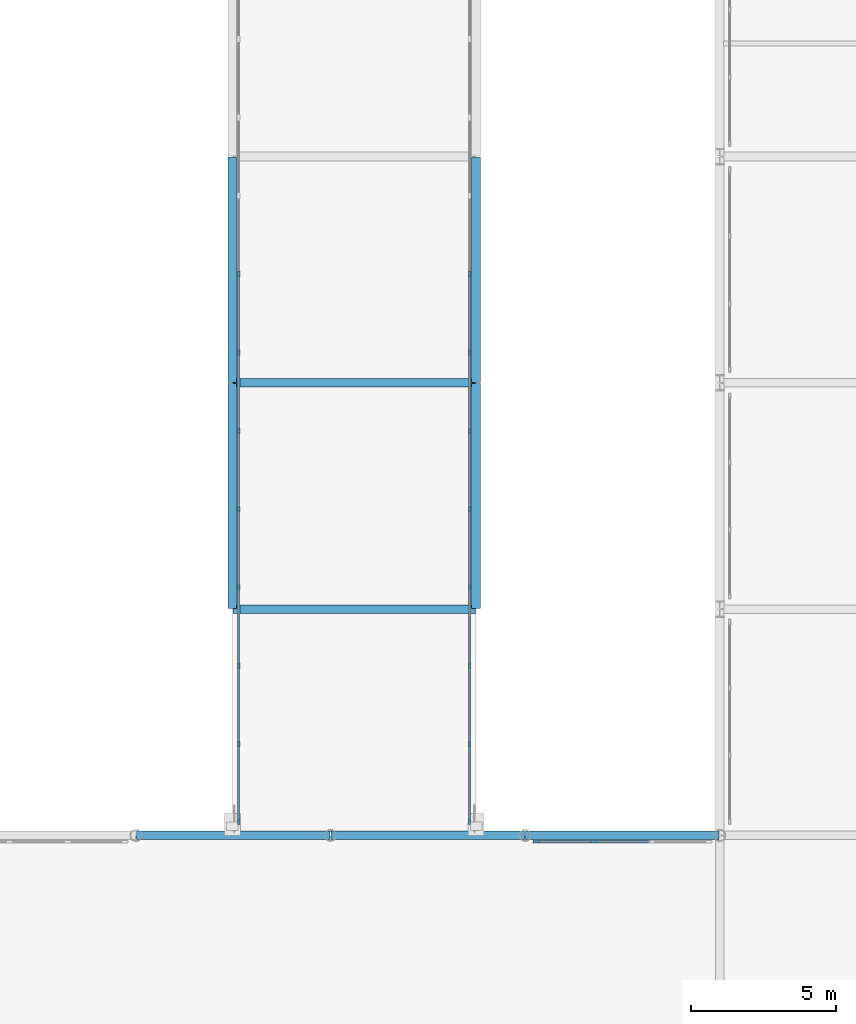
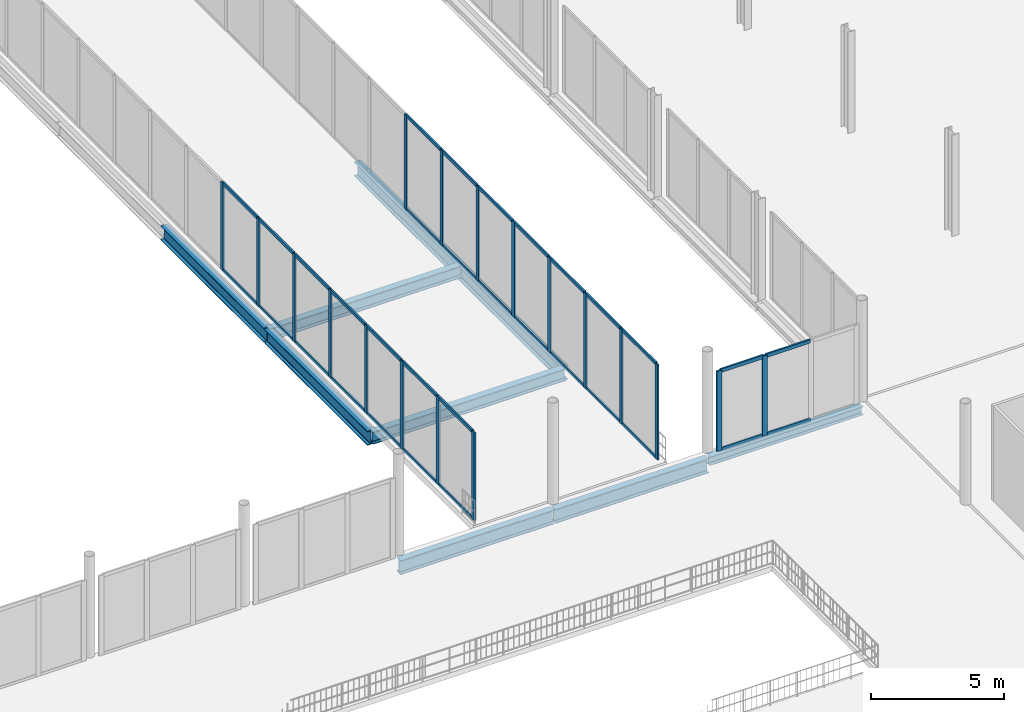
# One storey, part 32 of 98: 50 members, 9 beams, 3 elements without a shape of their own.
"""IFC4 building model written with IfcOpenShell, lengths in metres."""

from ifc_helpers import new_model, si_unit, direction, frame, origin, origin_2d, place, context, subcontext, project, spatial, rectangle, i_section, extrude, material, material_profile, profile_set, type_object, element, aggregate, save


model = new_model("IFC4")

# Units and contexts
model_context = context("Model", 3, precision=1e-05, world=origin(), true_north=direction((0.0, 1.0)))
body_context = subcontext(model_context, "Body", "Model", "MODEL_VIEW")
ifc_project = project(units=[si_unit("LENGTHUNIT", "METRE"), si_unit("AREAUNIT", "SQUARE_METRE"), si_unit("VOLUMEUNIT", "CUBIC_METRE"), si_unit("PLANEANGLEUNIT", "RADIAN"), si_unit("MASSUNIT", "GRAM", prefix="KILO")], contexts=[model_context])

# Site, building, storey
site_placement = place(None, origin())
site = spatial("IfcSite", under=ifc_project, at=site_placement, CompositionType="ELEMENT")
building_placement = place(site_placement, origin())
building = spatial("IfcBuilding", under=site, at=building_placement, Name="Nabrawat Pavilion Hospital", CompositionType="ELEMENT")
storey_placement = place(building_placement, frame((0.0, 0.0, 10.199951171875)))
storey = spatial("IfcBuildingStorey", under=building, at=storey_placement, Name="L02", CompositionType="ELEMENT", Elevation=10.199951171875)

# Beams
ifc_material_1 = material(Name="Steel S355", Category="steel")
ifc_material_profile_1 = material_profile(ifc_material_1, i_section(OverallWidth=0.300048828125, OverallDepth=0.64990234375, WebThickness=0.01611328125, FlangeThickness=0.031005859375, FilletRadius=0.027099609375, at=origin_2d()), Name="HEB 650")
ifc_profile_set_1 = profile_set([ifc_material_profile_1], Name="Steel S355")
beam_type_1 = type_object("IfcBeamType", Name="Courtyard Link Bridge Edge Girder HEB 650", PredefinedType="USERDEFINED", material=ifc_profile_set_1)
for number, where, z_axis, x_axis, name in (
    (1, (105.89599609375, 39.0, -0.614990234375), (1.0, 0.0, 0.0), (0.0, 1.0, 0.0), "L02 Courtyard Link Bridge Girder 1003"),
    (2, (112.60400390625, 39.0, -0.614990234375), (1.0, 0.0, 0.0), (0.0, 1.0, 0.0), "L02 Courtyard Link Bridge Girder 1004"),
):
    element("IfcBeam", number, at=place(storey_placement, frame(where, z_axis=z_axis, x_axis=x_axis)), inside=storey, type_object=beam_type_1, Name=name, ObjectType="GIRDER", PredefinedType="USERDEFINED", context=body_context, shape_type="SweptSolid", body=[
        extrude(i_section(OverallWidth=0.300048828125, OverallDepth=0.64990234375, WebThickness=0.01611328125, FlangeThickness=0.031005859375, FilletRadius=0.027099609375, at=origin_2d()), origin(), (0.0, 0.0, 1.0), 6.66796875),
    ])
beam_1_placement = place(storey_placement, frame((109.199951171875, 46.820068359375, -0.614990234375), z_axis=(0.0, 1.0, 0.0), x_axis=(-1.0, 0.0, 0.0)))
element("IfcBeam", 3, at=beam_1_placement, inside=storey, type_object=beam_type_1, Name="L02 Courtyard Link Bridge Edge Girder 1258", ObjectType="GIRDER", PredefinedType="USERDEFINED", context=body_context, shape_type="SweptSolid", body=[
    extrude(i_section(OverallWidth=0.300048828125, OverallDepth=0.64990234375, WebThickness=0.01611328125, FlangeThickness=0.031005859375, FilletRadius=0.027099609375, at=origin_2d()), origin(), (0.0, 0.0, 1.0), 7.760009765625),
])
beam_2_placement = place(storey_placement, frame((109.199951171875, 54.6201171875, -0.614990234375), z_axis=(0.0, 1.0, 0.0), x_axis=(-1.0, 0.0, 0.0)))
element("IfcBeam", 4, at=beam_2_placement, inside=storey, type_object=beam_type_1, Name="L02 Courtyard Link Bridge Edge Girder 1259", ObjectType="GIRDER", PredefinedType="USERDEFINED", context=body_context, shape_type="SweptSolid", body=[
    extrude(i_section(OverallWidth=0.300048828125, OverallDepth=0.64990234375, WebThickness=0.01611328125, FlangeThickness=0.031005859375, FilletRadius=0.027099609375, at=origin_2d()), origin(), (0.0, 0.0, 1.0), 7.759765625),
])
beam_3_placement = place(storey_placement, frame((117.60009765625, 46.820068359375, -0.614990234375), z_axis=(0.0, 1.0, 0.0), x_axis=(-1.0, 0.0, 0.0)))
element("IfcBeam", 5, at=beam_3_placement, inside=storey, type_object=beam_type_1, Name="L02 Courtyard Link Bridge Edge Girder 1267", ObjectType="GIRDER", PredefinedType="USERDEFINED", context=body_context, shape_type="SweptSolid", body=[
    extrude(i_section(OverallWidth=0.300048828125, OverallDepth=0.64990234375, WebThickness=0.01611328125, FlangeThickness=0.031005859375, FilletRadius=0.027099609375, at=origin_2d()), origin(), (0.0, 0.0, 1.0), 7.760009765625),
])
beam_4_placement = place(storey_placement, frame((117.60009765625, 54.6201171875, -0.614990234375), z_axis=(0.0, 1.0, 0.0), x_axis=(-1.0, 0.0, 0.0)))
element("IfcBeam", 6, at=beam_4_placement, inside=storey, type_object=beam_type_1, Name="L02 Courtyard Link Bridge Edge Girder 1268", ObjectType="GIRDER", PredefinedType="USERDEFINED", context=body_context, shape_type="SweptSolid", body=[
    extrude(i_section(OverallWidth=0.300048828125, OverallDepth=0.64990234375, WebThickness=0.01611328125, FlangeThickness=0.031005859375, FilletRadius=0.027099609375, at=origin_2d()), origin(), (0.0, 0.0, 1.0), 7.759765625),
])

# Curtain wall, members
ifc_material_2 = material(Name="Anodised Aluminium", Category="aluminium")
curtain_wall_type_1 = type_object("IfcCurtainWallType", Name="Courtyard Link Bridge Glazed Curtain Wall", PredefinedType="USERDEFINED", material=ifc_material_2)
curtain_wall_1_placement = place(storey_placement, origin())
curtain_wall_1 = element("IfcCurtainWall", 7, at=curtain_wall_1_placement, inside=storey, type_object=curtain_wall_type_1, Name="L02 Courtyard Link Bridge Glazed Curtain Wall 126", ObjectType="CURTAIN WALL", PredefinedType="USERDEFINED")
ifc_material_profile_2 = material_profile(ifc_material_2, rectangle(XDim=0.070068359375, YDim=0.199951171875, at=origin_2d()), Name="CWM 70x200")
ifc_profile_set_2 = profile_set([ifc_material_profile_2], Name="Anodised Aluminium")
member_type_1 = type_object("IfcMemberType", Name="Courtyard Link Bridge Glazed Curtain Wall Mullion CWM 70x200", PredefinedType="MULLION", material=ifc_profile_set_2)
member_1_placement = place(storey_placement, frame((109.419921875, 39.47509765625, 0.0), z_axis=(0.0, 0.0, 1.0), x_axis=(-1.0, 0.0, 0.0)))
member_1 = element("IfcMember", 8, at=member_1_placement, type_object=member_type_1, Name="CW-BRG-01 mullion 1", PredefinedType="MULLION", context=body_context, shape_type="SweptSolid", body=[
    extrude(rectangle(XDim=0.070068359375, YDim=0.199951171875, at=origin_2d()), origin(), (0.0, 0.0, 1.0), 4.0400390625),
])
member_2_placement = place(storey_placement, frame((109.419921875, 42.14111328125, 0.0), z_axis=(0.0, 0.0, 1.0), x_axis=(-1.0, 0.0, 0.0)))
member_2 = element("IfcMember", 9, at=member_2_placement, type_object=member_type_1, Name="CW-BRG-01 mullion 2", PredefinedType="MULLION", context=body_context, shape_type="SweptSolid", body=[
    extrude(rectangle(XDim=0.070068359375, YDim=0.199951171875, at=origin_2d()), origin(), (0.0, 0.0, 1.0), 4.0400390625),
])
member_3_placement = place(storey_placement, frame((109.419921875, 44.84228515625, 0.0), z_axis=(0.0, 0.0, 1.0), x_axis=(-1.0, 0.0, 0.0)))
member_3 = element("IfcMember", 10, at=member_3_placement, type_object=member_type_1, Name="CW-BRG-01 mullion 3", PredefinedType="MULLION", context=body_context, shape_type="SweptSolid", body=[
    extrude(rectangle(XDim=0.070068359375, YDim=0.199951171875, at=origin_2d()), origin(), (0.0, 0.0, 1.0), 4.0400390625),
])
member_4_placement = place(storey_placement, frame((109.419921875, 47.54345703125, 0.0), z_axis=(0.0, 0.0, 1.0), x_axis=(-1.0, 0.0, 0.0)))
member_4 = element("IfcMember", 11, at=member_4_placement, type_object=member_type_1, Name="CW-BRG-01 mullion 4", PredefinedType="MULLION", context=body_context, shape_type="SweptSolid", body=[
    extrude(rectangle(XDim=0.070068359375, YDim=0.199951171875, at=origin_2d()), origin(), (0.0, 0.0, 1.0), 4.0400390625),
])
member_5_placement = place(storey_placement, frame((109.419921875, 50.24462890625, 0.0), z_axis=(0.0, 0.0, 1.0), x_axis=(-1.0, 0.0, 0.0)))
member_5 = element("IfcMember", 12, at=member_5_placement, type_object=member_type_1, Name="CW-BRG-01 mullion 5", PredefinedType="MULLION", context=body_context, shape_type="SweptSolid", body=[
    extrude(rectangle(XDim=0.070068359375, YDim=0.199951171875, at=origin_2d()), origin(), (0.0, 0.0, 1.0), 4.0400390625),
])
member_6_placement = place(storey_placement, frame((109.419921875, 52.94580078125, 0.0), z_axis=(0.0, 0.0, 1.0), x_axis=(-1.0, 0.0, 0.0)))
member_6 = element("IfcMember", 13, at=member_6_placement, type_object=member_type_1, Name="CW-BRG-01 mullion 6", PredefinedType="MULLION", context=body_context, shape_type="SweptSolid", body=[
    extrude(rectangle(XDim=0.070068359375, YDim=0.199951171875, at=origin_2d()), origin(), (0.0, 0.0, 1.0), 4.0400390625),
])
member_7_placement = place(storey_placement, frame((109.419921875, 55.64697265625, 0.0), z_axis=(0.0, 0.0, 1.0), x_axis=(-1.0, 0.0, 0.0)))
member_7 = element("IfcMember", 14, at=member_7_placement, type_object=member_type_1, Name="CW-BRG-01 mullion 7", PredefinedType="MULLION", context=body_context, shape_type="SweptSolid", body=[
    extrude(rectangle(XDim=0.070068359375, YDim=0.199951171875, at=origin_2d()), origin(), (0.0, 0.0, 1.0), 4.0400390625),
])
member_8_placement = place(storey_placement, frame((109.419921875, 58.34814453125, 0.0), z_axis=(0.0, 0.0, 1.0), x_axis=(-1.0, 0.0, 0.0)))
member_8 = element("IfcMember", 15, at=member_8_placement, type_object=member_type_1, Name="CW-BRG-01 mullion 8", PredefinedType="MULLION", context=body_context, shape_type="SweptSolid", body=[
    extrude(rectangle(XDim=0.070068359375, YDim=0.199951171875, at=origin_2d()), origin(), (0.0, 0.0, 1.0), 4.0400390625),
])

curtain_wall_2_placement = place(storey_placement, origin())
curtain_wall_2 = element("IfcCurtainWall", 16, at=curtain_wall_2_placement, inside=storey, type_object=curtain_wall_type_1, Name="L02 Courtyard Link Bridge Glazed Curtain Wall 127", ObjectType="CURTAIN WALL", PredefinedType="USERDEFINED")
member_9_placement = place(storey_placement, frame((117.3798828125, 39.47509765625, 0.0), z_axis=(0.0, 0.0, 1.0), x_axis=(-1.0, 0.0, 0.0)))
member_9 = element("IfcMember", 17, at=member_9_placement, type_object=member_type_1, Name="CW-BRG-01 mullion 1", PredefinedType="MULLION", context=body_context, shape_type="SweptSolid", body=[
    extrude(rectangle(XDim=0.070068359375, YDim=0.199951171875, at=origin_2d()), origin(), (0.0, 0.0, 1.0), 4.3701171875),
])
member_10_placement = place(storey_placement, frame((117.3798828125, 42.14111328125, 0.0), z_axis=(0.0, 0.0, 1.0), x_axis=(-1.0, 0.0, 0.0)))
member_10 = element("IfcMember", 18, at=member_10_placement, type_object=member_type_1, Name="CW-BRG-01 mullion 2", PredefinedType="MULLION", context=body_context, shape_type="SweptSolid", body=[
    extrude(rectangle(XDim=0.070068359375, YDim=0.199951171875, at=origin_2d()), origin(), (0.0, 0.0, 1.0), 4.3701171875),
])
member_11_placement = place(storey_placement, frame((117.3798828125, 44.84228515625, 0.0), z_axis=(0.0, 0.0, 1.0), x_axis=(-1.0, 0.0, 0.0)))
member_11 = element("IfcMember", 19, at=member_11_placement, type_object=member_type_1, Name="CW-BRG-01 mullion 3", PredefinedType="MULLION", context=body_context, shape_type="SweptSolid", body=[
    extrude(rectangle(XDim=0.070068359375, YDim=0.199951171875, at=origin_2d()), origin(), (0.0, 0.0, 1.0), 4.3701171875),
])
member_12_placement = place(storey_placement, frame((117.3798828125, 47.54345703125, 0.0), z_axis=(0.0, 0.0, 1.0), x_axis=(-1.0, 0.0, 0.0)))
member_12 = element("IfcMember", 20, at=member_12_placement, type_object=member_type_1, Name="CW-BRG-01 mullion 4", PredefinedType="MULLION", context=body_context, shape_type="SweptSolid", body=[
    extrude(rectangle(XDim=0.070068359375, YDim=0.199951171875, at=origin_2d()), origin(), (0.0, 0.0, 1.0), 4.3701171875),
])
member_13_placement = place(storey_placement, frame((117.3798828125, 50.24462890625, 0.0), z_axis=(0.0, 0.0, 1.0), x_axis=(-1.0, 0.0, 0.0)))
member_13 = element("IfcMember", 21, at=member_13_placement, type_object=member_type_1, Name="CW-BRG-01 mullion 5", PredefinedType="MULLION", context=body_context, shape_type="SweptSolid", body=[
    extrude(rectangle(XDim=0.070068359375, YDim=0.199951171875, at=origin_2d()), origin(), (0.0, 0.0, 1.0), 4.3701171875),
])
member_14_placement = place(storey_placement, frame((117.3798828125, 52.94580078125, 0.0), z_axis=(0.0, 0.0, 1.0), x_axis=(-1.0, 0.0, 0.0)))
member_14 = element("IfcMember", 22, at=member_14_placement, type_object=member_type_1, Name="CW-BRG-01 mullion 6", PredefinedType="MULLION", context=body_context, shape_type="SweptSolid", body=[
    extrude(rectangle(XDim=0.070068359375, YDim=0.199951171875, at=origin_2d()), origin(), (0.0, 0.0, 1.0), 4.3701171875),
])
member_15_placement = place(storey_placement, frame((117.3798828125, 55.64697265625, 0.0), z_axis=(0.0, 0.0, 1.0), x_axis=(-1.0, 0.0, 0.0)))
member_15 = element("IfcMember", 23, at=member_15_placement, type_object=member_type_1, Name="CW-BRG-01 mullion 7", PredefinedType="MULLION", context=body_context, shape_type="SweptSolid", body=[
    extrude(rectangle(XDim=0.070068359375, YDim=0.199951171875, at=origin_2d()), origin(), (0.0, 0.0, 1.0), 4.3701171875),
])
member_16_placement = place(storey_placement, frame((117.3798828125, 58.34814453125, 0.0), z_axis=(0.0, 0.0, 1.0), x_axis=(-1.0, 0.0, 0.0)))
member_16 = element("IfcMember", 24, at=member_16_placement, type_object=member_type_1, Name="CW-BRG-01 mullion 8", PredefinedType="MULLION", context=body_context, shape_type="SweptSolid", body=[
    extrude(rectangle(XDim=0.070068359375, YDim=0.199951171875, at=origin_2d()), origin(), (0.0, 0.0, 1.0), 4.3701171875),
])

# Member
ifc_material_profile_3 = material_profile(ifc_material_2, rectangle(XDim=0.070068359375, YDim=0.14990234375, at=origin_2d()), Name="CWT 70x150")
ifc_profile_set_3 = profile_set([ifc_material_profile_3], Name="Anodised Aluminium")
member_type_2 = type_object("IfcMemberType", Name="Courtyard Link Bridge Glazed Curtain Wall Transom CWT 70x150", PredefinedType="USERDEFINED", material=ifc_profile_set_3)
member_17_placement = place(storey_placement, frame((109.419921875, 39.510009765625, 0.03515625), z_axis=(0.0, 1.0, 0.0), x_axis=(-1.0, 0.0, 0.0)))
member_17 = element("IfcMember", 25, at=member_17_placement, type_object=member_type_2, Name="CW-BRG-01 transom 1.1", ObjectType="TRANSOM", PredefinedType="USERDEFINED", context=body_context, shape_type="SweptSolid", body=[
    extrude(rectangle(XDim=0.070068359375, YDim=0.14990234375, at=origin_2d()), origin(), (0.0, 0.0, 1.0), 2.59619140625),
])

member_18_placement = place(storey_placement, frame((109.419921875, 39.510009765625, 4.005126953125), z_axis=(0.0, 1.0, 0.0), x_axis=(-1.0, 0.0, 0.0)))
member_18 = element("IfcMember", 26, at=member_18_placement, type_object=member_type_2, Name="CW-BRG-01 transom 1.2", ObjectType="TRANSOM", PredefinedType="USERDEFINED", context=body_context, shape_type="SweptSolid", body=[
    extrude(rectangle(XDim=0.070068359375, YDim=0.14990234375, at=origin_2d()), origin(), (0.0, 0.0, 1.0), 2.59619140625),
])

member_19_placement = place(storey_placement, frame((109.419921875, 42.17626953125, 0.03515625), z_axis=(0.0, 1.0, 0.0), x_axis=(-1.0, 0.0, 0.0)))
member_19 = element("IfcMember", 27, at=member_19_placement, type_object=member_type_2, Name="CW-BRG-01 transom 2.1", ObjectType="TRANSOM", PredefinedType="USERDEFINED", context=body_context, shape_type="SweptSolid", body=[
    extrude(rectangle(XDim=0.070068359375, YDim=0.14990234375, at=origin_2d()), origin(), (0.0, 0.0, 1.0), 2.631103515625),
])

member_20_placement = place(storey_placement, frame((109.419921875, 42.17626953125, 4.005126953125), z_axis=(0.0, 1.0, 0.0), x_axis=(-1.0, 0.0, 0.0)))
member_20 = element("IfcMember", 28, at=member_20_placement, type_object=member_type_2, Name="CW-BRG-01 transom 2.2", ObjectType="TRANSOM", PredefinedType="USERDEFINED", context=body_context, shape_type="SweptSolid", body=[
    extrude(rectangle(XDim=0.070068359375, YDim=0.14990234375, at=origin_2d()), origin(), (0.0, 0.0, 1.0), 2.631103515625),
])

member_21_placement = place(storey_placement, frame((109.419921875, 44.87744140625, 0.03515625), z_axis=(0.0, 1.0, 0.0), x_axis=(-1.0, 0.0, 0.0)))
member_21 = element("IfcMember", 29, at=member_21_placement, type_object=member_type_2, Name="CW-BRG-01 transom 3.1", ObjectType="TRANSOM", PredefinedType="USERDEFINED", context=body_context, shape_type="SweptSolid", body=[
    extrude(rectangle(XDim=0.070068359375, YDim=0.14990234375, at=origin_2d()), origin(), (0.0, 0.0, 1.0), 2.631103515625),
])

member_22_placement = place(storey_placement, frame((109.419921875, 44.87744140625, 4.005126953125), z_axis=(0.0, 1.0, 0.0), x_axis=(-1.0, 0.0, 0.0)))
member_22 = element("IfcMember", 30, at=member_22_placement, type_object=member_type_2, Name="CW-BRG-01 transom 3.2", ObjectType="TRANSOM", PredefinedType="USERDEFINED", context=body_context, shape_type="SweptSolid", body=[
    extrude(rectangle(XDim=0.070068359375, YDim=0.14990234375, at=origin_2d()), origin(), (0.0, 0.0, 1.0), 2.631103515625),
])

member_23_placement = place(storey_placement, frame((109.419921875, 47.57861328125, 0.03515625), z_axis=(0.0, 1.0, 0.0), x_axis=(-1.0, 0.0, 0.0)))
member_23 = element("IfcMember", 31, at=member_23_placement, type_object=member_type_2, Name="CW-BRG-01 transom 4.1", ObjectType="TRANSOM", PredefinedType="USERDEFINED", context=body_context, shape_type="SweptSolid", body=[
    extrude(rectangle(XDim=0.070068359375, YDim=0.14990234375, at=origin_2d()), origin(), (0.0, 0.0, 1.0), 2.631103515625),
])

member_24_placement = place(storey_placement, frame((109.419921875, 47.57861328125, 4.005126953125), z_axis=(0.0, 1.0, 0.0), x_axis=(-1.0, 0.0, 0.0)))
member_24 = element("IfcMember", 32, at=member_24_placement, type_object=member_type_2, Name="CW-BRG-01 transom 4.2", ObjectType="TRANSOM", PredefinedType="USERDEFINED", context=body_context, shape_type="SweptSolid", body=[
    extrude(rectangle(XDim=0.070068359375, YDim=0.14990234375, at=origin_2d()), origin(), (0.0, 0.0, 1.0), 2.631103515625),
])

member_25_placement = place(storey_placement, frame((109.419921875, 50.27978515625, 0.03515625), z_axis=(0.0, 1.0, 0.0), x_axis=(-1.0, 0.0, 0.0)))
member_25 = element("IfcMember", 33, at=member_25_placement, type_object=member_type_2, Name="CW-BRG-01 transom 5.1", ObjectType="TRANSOM", PredefinedType="USERDEFINED", context=body_context, shape_type="SweptSolid", body=[
    extrude(rectangle(XDim=0.070068359375, YDim=0.14990234375, at=origin_2d()), origin(), (0.0, 0.0, 1.0), 2.631103515625),
])

member_26_placement = place(storey_placement, frame((109.419921875, 50.27978515625, 4.005126953125), z_axis=(0.0, 1.0, 0.0), x_axis=(-1.0, 0.0, 0.0)))
member_26 = element("IfcMember", 34, at=member_26_placement, type_object=member_type_2, Name="CW-BRG-01 transom 5.2", ObjectType="TRANSOM", PredefinedType="USERDEFINED", context=body_context, shape_type="SweptSolid", body=[
    extrude(rectangle(XDim=0.070068359375, YDim=0.14990234375, at=origin_2d()), origin(), (0.0, 0.0, 1.0), 2.631103515625),
])

member_27_placement = place(storey_placement, frame((109.419921875, 52.98095703125, 0.03515625), z_axis=(0.0, 1.0, 0.0), x_axis=(-1.0, 0.0, 0.0)))
member_27 = element("IfcMember", 35, at=member_27_placement, type_object=member_type_2, Name="CW-BRG-01 transom 6.1", ObjectType="TRANSOM", PredefinedType="USERDEFINED", context=body_context, shape_type="SweptSolid", body=[
    extrude(rectangle(XDim=0.070068359375, YDim=0.14990234375, at=origin_2d()), origin(), (0.0, 0.0, 1.0), 2.631103515625),
])

member_28_placement = place(storey_placement, frame((109.419921875, 52.98095703125, 4.005126953125), z_axis=(0.0, 1.0, 0.0), x_axis=(-1.0, 0.0, 0.0)))
member_28 = element("IfcMember", 36, at=member_28_placement, type_object=member_type_2, Name="CW-BRG-01 transom 6.2", ObjectType="TRANSOM", PredefinedType="USERDEFINED", context=body_context, shape_type="SweptSolid", body=[
    extrude(rectangle(XDim=0.070068359375, YDim=0.14990234375, at=origin_2d()), origin(), (0.0, 0.0, 1.0), 2.631103515625),
])

member_29_placement = place(storey_placement, frame((109.419921875, 55.68212890625, 0.03515625), z_axis=(0.0, 1.0, 0.0), x_axis=(-1.0, 0.0, 0.0)))
member_29 = element("IfcMember", 37, at=member_29_placement, type_object=member_type_2, Name="CW-BRG-01 transom 7.1", ObjectType="TRANSOM", PredefinedType="USERDEFINED", context=body_context, shape_type="SweptSolid", body=[
    extrude(rectangle(XDim=0.070068359375, YDim=0.14990234375, at=origin_2d()), origin(), (0.0, 0.0, 1.0), 2.631103515625),
])

member_30_placement = place(storey_placement, frame((109.419921875, 55.68212890625, 4.005126953125), z_axis=(0.0, 1.0, 0.0), x_axis=(-1.0, 0.0, 0.0)))
member_30 = element("IfcMember", 38, at=member_30_placement, type_object=member_type_2, Name="CW-BRG-01 transom 7.2", ObjectType="TRANSOM", PredefinedType="USERDEFINED", context=body_context, shape_type="SweptSolid", body=[
    extrude(rectangle(XDim=0.070068359375, YDim=0.14990234375, at=origin_2d()), origin(), (0.0, 0.0, 1.0), 2.631103515625),
])

aggregate(curtain_wall_1, [member_1, member_2, member_3, member_4, member_5, member_6, member_7, member_8, member_17, member_18, member_19, member_20, member_21, member_22, member_23, member_24, member_25, member_26, member_27, member_28, member_29, member_30])

member_31_placement = place(storey_placement, frame((117.3798828125, 39.510009765625, 0.03515625), z_axis=(0.0, 1.0, 0.0), x_axis=(-1.0, 0.0, 0.0)))
member_31 = element("IfcMember", 39, at=member_31_placement, type_object=member_type_2, Name="CW-BRG-01 transom 1.1", ObjectType="TRANSOM", PredefinedType="USERDEFINED", context=body_context, shape_type="SweptSolid", body=[
    extrude(rectangle(XDim=0.070068359375, YDim=0.14990234375, at=origin_2d()), origin(), (0.0, 0.0, 1.0), 2.59619140625),
])

member_32_placement = place(storey_placement, frame((117.3798828125, 39.510009765625, 4.3349609375), z_axis=(0.0, 1.0, 0.0), x_axis=(-1.0, 0.0, 0.0)))
member_32 = element("IfcMember", 40, at=member_32_placement, type_object=member_type_2, Name="CW-BRG-01 transom 1.2", ObjectType="TRANSOM", PredefinedType="USERDEFINED", context=body_context, shape_type="SweptSolid", body=[
    extrude(rectangle(XDim=0.070068359375, YDim=0.14990234375, at=origin_2d()), origin(), (0.0, 0.0, 1.0), 2.59619140625),
])

member_33_placement = place(storey_placement, frame((117.3798828125, 42.17626953125, 0.03515625), z_axis=(0.0, 1.0, 0.0), x_axis=(-1.0, 0.0, 0.0)))
member_33 = element("IfcMember", 41, at=member_33_placement, type_object=member_type_2, Name="CW-BRG-01 transom 2.1", ObjectType="TRANSOM", PredefinedType="USERDEFINED", context=body_context, shape_type="SweptSolid", body=[
    extrude(rectangle(XDim=0.070068359375, YDim=0.14990234375, at=origin_2d()), origin(), (0.0, 0.0, 1.0), 2.631103515625),
])

member_34_placement = place(storey_placement, frame((117.3798828125, 42.17626953125, 4.3349609375), z_axis=(0.0, 1.0, 0.0), x_axis=(-1.0, 0.0, 0.0)))
member_34 = element("IfcMember", 42, at=member_34_placement, type_object=member_type_2, Name="CW-BRG-01 transom 2.2", ObjectType="TRANSOM", PredefinedType="USERDEFINED", context=body_context, shape_type="SweptSolid", body=[
    extrude(rectangle(XDim=0.070068359375, YDim=0.14990234375, at=origin_2d()), origin(), (0.0, 0.0, 1.0), 2.631103515625),
])

member_35_placement = place(storey_placement, frame((117.3798828125, 44.87744140625, 0.03515625), z_axis=(0.0, 1.0, 0.0), x_axis=(-1.0, 0.0, 0.0)))
member_35 = element("IfcMember", 43, at=member_35_placement, type_object=member_type_2, Name="CW-BRG-01 transom 3.1", ObjectType="TRANSOM", PredefinedType="USERDEFINED", context=body_context, shape_type="SweptSolid", body=[
    extrude(rectangle(XDim=0.070068359375, YDim=0.14990234375, at=origin_2d()), origin(), (0.0, 0.0, 1.0), 2.631103515625),
])

member_36_placement = place(storey_placement, frame((117.3798828125, 44.87744140625, 4.3349609375), z_axis=(0.0, 1.0, 0.0), x_axis=(-1.0, 0.0, 0.0)))
member_36 = element("IfcMember", 44, at=member_36_placement, type_object=member_type_2, Name="CW-BRG-01 transom 3.2", ObjectType="TRANSOM", PredefinedType="USERDEFINED", context=body_context, shape_type="SweptSolid", body=[
    extrude(rectangle(XDim=0.070068359375, YDim=0.14990234375, at=origin_2d()), origin(), (0.0, 0.0, 1.0), 2.631103515625),
])

member_37_placement = place(storey_placement, frame((117.3798828125, 47.57861328125, 0.03515625), z_axis=(0.0, 1.0, 0.0), x_axis=(-1.0, 0.0, 0.0)))
member_37 = element("IfcMember", 45, at=member_37_placement, type_object=member_type_2, Name="CW-BRG-01 transom 4.1", ObjectType="TRANSOM", PredefinedType="USERDEFINED", context=body_context, shape_type="SweptSolid", body=[
    extrude(rectangle(XDim=0.070068359375, YDim=0.14990234375, at=origin_2d()), origin(), (0.0, 0.0, 1.0), 2.631103515625),
])

member_38_placement = place(storey_placement, frame((117.3798828125, 47.57861328125, 4.3349609375), z_axis=(0.0, 1.0, 0.0), x_axis=(-1.0, 0.0, 0.0)))
member_38 = element("IfcMember", 46, at=member_38_placement, type_object=member_type_2, Name="CW-BRG-01 transom 4.2", ObjectType="TRANSOM", PredefinedType="USERDEFINED", context=body_context, shape_type="SweptSolid", body=[
    extrude(rectangle(XDim=0.070068359375, YDim=0.14990234375, at=origin_2d()), origin(), (0.0, 0.0, 1.0), 2.631103515625),
])

member_39_placement = place(storey_placement, frame((117.3798828125, 50.27978515625, 0.03515625), z_axis=(0.0, 1.0, 0.0), x_axis=(-1.0, 0.0, 0.0)))
member_39 = element("IfcMember", 47, at=member_39_placement, type_object=member_type_2, Name="CW-BRG-01 transom 5.1", ObjectType="TRANSOM", PredefinedType="USERDEFINED", context=body_context, shape_type="SweptSolid", body=[
    extrude(rectangle(XDim=0.070068359375, YDim=0.14990234375, at=origin_2d()), origin(), (0.0, 0.0, 1.0), 2.631103515625),
])

member_40_placement = place(storey_placement, frame((117.3798828125, 50.27978515625, 4.3349609375), z_axis=(0.0, 1.0, 0.0), x_axis=(-1.0, 0.0, 0.0)))
member_40 = element("IfcMember", 48, at=member_40_placement, type_object=member_type_2, Name="CW-BRG-01 transom 5.2", ObjectType="TRANSOM", PredefinedType="USERDEFINED", context=body_context, shape_type="SweptSolid", body=[
    extrude(rectangle(XDim=0.070068359375, YDim=0.14990234375, at=origin_2d()), origin(), (0.0, 0.0, 1.0), 2.631103515625),
])

member_41_placement = place(storey_placement, frame((117.3798828125, 52.98095703125, 0.03515625), z_axis=(0.0, 1.0, 0.0), x_axis=(-1.0, 0.0, 0.0)))
member_41 = element("IfcMember", 49, at=member_41_placement, type_object=member_type_2, Name="CW-BRG-01 transom 6.1", ObjectType="TRANSOM", PredefinedType="USERDEFINED", context=body_context, shape_type="SweptSolid", body=[
    extrude(rectangle(XDim=0.070068359375, YDim=0.14990234375, at=origin_2d()), origin(), (0.0, 0.0, 1.0), 2.631103515625),
])

member_42_placement = place(storey_placement, frame((117.3798828125, 52.98095703125, 4.3349609375), z_axis=(0.0, 1.0, 0.0), x_axis=(-1.0, 0.0, 0.0)))
member_42 = element("IfcMember", 50, at=member_42_placement, type_object=member_type_2, Name="CW-BRG-01 transom 6.2", ObjectType="TRANSOM", PredefinedType="USERDEFINED", context=body_context, shape_type="SweptSolid", body=[
    extrude(rectangle(XDim=0.070068359375, YDim=0.14990234375, at=origin_2d()), origin(), (0.0, 0.0, 1.0), 2.631103515625),
])

member_43_placement = place(storey_placement, frame((117.3798828125, 55.68212890625, 0.03515625), z_axis=(0.0, 1.0, 0.0), x_axis=(-1.0, 0.0, 0.0)))
member_43 = element("IfcMember", 51, at=member_43_placement, type_object=member_type_2, Name="CW-BRG-01 transom 7.1", ObjectType="TRANSOM", PredefinedType="USERDEFINED", context=body_context, shape_type="SweptSolid", body=[
    extrude(rectangle(XDim=0.070068359375, YDim=0.14990234375, at=origin_2d()), origin(), (0.0, 0.0, 1.0), 2.631103515625),
])

member_44_placement = place(storey_placement, frame((117.3798828125, 55.68212890625, 4.3349609375), z_axis=(0.0, 1.0, 0.0), x_axis=(-1.0, 0.0, 0.0)))
member_44 = element("IfcMember", 52, at=member_44_placement, type_object=member_type_2, Name="CW-BRG-01 transom 7.2", ObjectType="TRANSOM", PredefinedType="USERDEFINED", context=body_context, shape_type="SweptSolid", body=[
    extrude(rectangle(XDim=0.070068359375, YDim=0.14990234375, at=origin_2d()), origin(), (0.0, 0.0, 1.0), 2.631103515625),
])

aggregate(curtain_wall_2, [member_9, member_10, member_11, member_12, member_13, member_14, member_15, member_16, member_31, member_32, member_33, member_34, member_35, member_36, member_37, member_38, member_39, member_40, member_41, member_42, member_43, member_44])

# Curtain wall, members
curtain_wall_type_2 = type_object("IfcCurtainWallType", Name="Main Hall Pavilion Unitised Curtain Wall", PredefinedType="USERDEFINED", material=ifc_material_2)
curtain_wall_3_placement = place(storey_placement, origin())
curtain_wall_3 = element("IfcCurtainWall", 53, at=curtain_wall_3_placement, inside=storey, type_object=curtain_wall_type_2, Name="L02 Main Hall Pavilion Unitised Curtain Wall 128", ObjectType="CURTAIN WALL", PredefinedType="USERDEFINED")
ifc_material_profile_4 = material_profile(ifc_material_2, rectangle(XDim=0.074951171875, YDim=0.219970703125, at=origin_2d()), Name="CWM 75x220")
ifc_profile_set_4 = profile_set([ifc_material_profile_4], Name="Anodised Aluminium")
member_type_3 = type_object("IfcMemberType", Name="Main Hall Pavilion Unitised Curtain Wall Mullion CWM 75x220", PredefinedType="MULLION", material=ifc_profile_set_4)
member_45_placement = place(storey_placement, frame((119.672607421875, 38.780029296875, 0.0), z_axis=(0.0, 0.0, 1.0), x_axis=(0.0, 1.0, 0.0)))
member_45 = element("IfcMember", 54, at=member_45_placement, type_object=member_type_3, Name="CW-MH-01 mullion 1", PredefinedType="MULLION", context=body_context, shape_type="SweptSolid", body=[
    extrude(rectangle(XDim=0.074951171875, YDim=0.219970703125, at=origin_2d()), origin(), (0.0, 0.0, 1.0), 3.679931640625),
])
member_46_placement = place(storey_placement, frame((121.642333984375, 38.780029296875, 0.0), z_axis=(0.0, 0.0, 1.0), x_axis=(0.0, 1.0, 0.0)))
member_46 = element("IfcMember", 55, at=member_46_placement, type_object=member_type_3, Name="CW-MH-01 mullion 2", PredefinedType="MULLION", context=body_context, shape_type="SweptSolid", body=[
    extrude(rectangle(XDim=0.074951171875, YDim=0.219970703125, at=origin_2d()), origin(), (0.0, 0.0, 1.0), 3.679931640625),
])
ifc_material_profile_5 = material_profile(ifc_material_2, rectangle(XDim=0.074951171875, YDim=0.1650390625, at=origin_2d()), Name="CWT 75x165")
ifc_profile_set_5 = profile_set([ifc_material_profile_5], Name="Anodised Aluminium")
member_type_4 = type_object("IfcMemberType", Name="Main Hall Pavilion Unitised Curtain Wall Transom CWT 75x165", PredefinedType="USERDEFINED", material=ifc_profile_set_5)
member_47_placement = place(storey_placement, frame((119.710205078125, 38.780029296875, 0.03759765625), z_axis=(1.0, 0.0, 0.0), x_axis=(0.0, 1.0, 0.0)))
member_47 = element("IfcMember", 56, at=member_47_placement, type_object=member_type_4, Name="CW-MH-01 transom 1.1", ObjectType="TRANSOM", PredefinedType="USERDEFINED", context=body_context, shape_type="SweptSolid", body=[
    extrude(rectangle(XDim=0.074951171875, YDim=0.1650390625, at=origin_2d()), origin(), (0.0, 0.0, 1.0), 1.894775390625),
])
member_48_placement = place(storey_placement, frame((119.710205078125, 38.780029296875, 3.642578125), z_axis=(1.0, 0.0, 0.0), x_axis=(0.0, 1.0, 0.0)))
member_48 = element("IfcMember", 57, at=member_48_placement, type_object=member_type_4, Name="CW-MH-01 transom 1.2", ObjectType="TRANSOM", PredefinedType="USERDEFINED", context=body_context, shape_type="SweptSolid", body=[
    extrude(rectangle(XDim=0.074951171875, YDim=0.1650390625, at=origin_2d()), origin(), (0.0, 0.0, 1.0), 1.894775390625),
])
member_49_placement = place(storey_placement, frame((121.679931640625, 38.780029296875, 0.03759765625), z_axis=(1.0, 0.0, 0.0), x_axis=(0.0, 1.0, 0.0)))
member_49 = element("IfcMember", 58, at=member_49_placement, type_object=member_type_4, Name="CW-MH-01 transom 2.1", ObjectType="TRANSOM", PredefinedType="USERDEFINED", context=body_context, shape_type="SweptSolid", body=[
    extrude(rectangle(XDim=0.074951171875, YDim=0.1650390625, at=origin_2d()), origin(), (0.0, 0.0, 1.0), 1.93212890625),
])
member_50_placement = place(storey_placement, frame((121.679931640625, 38.780029296875, 3.642578125), z_axis=(1.0, 0.0, 0.0), x_axis=(0.0, 1.0, 0.0)))
member_50 = element("IfcMember", 59, at=member_50_placement, type_object=member_type_4, Name="CW-MH-01 transom 2.2", ObjectType="TRANSOM", PredefinedType="USERDEFINED", context=body_context, shape_type="SweptSolid", body=[
    extrude(rectangle(XDim=0.074951171875, YDim=0.1650390625, at=origin_2d()), origin(), (0.0, 0.0, 1.0), 1.93212890625),
])
aggregate(curtain_wall_3, [member_45, member_46, member_47, member_48, member_49, member_50])

# Beams
ifc_material_profile_6 = material_profile(ifc_material_1, i_section(OverallWidth=0.300048828125, OverallDepth=0.389892578125, WebThickness=0.010986328125, FlangeThickness=0.01904296875, FilletRadius=0.027099609375, at=origin_2d()), Name="HEA 400")
ifc_profile_set_6 = profile_set([ifc_material_profile_6], Name="Steel S355")
beam_type_2 = type_object("IfcBeamType", Name="Perimeter Moment Spandrel Beam HEA 400", PredefinedType="SPANDREL", material=ifc_profile_set_6)
beam_5_placement = place(storey_placement, frame((119.31201171875, 39.0, -0.43505859375), z_axis=(1.0, 0.0, 0.0), x_axis=(0.0, 1.0, 0.0)))
element("IfcBeam", 60, at=beam_5_placement, inside=storey, type_object=beam_type_2, Name="L02 Primary X Girder 1005", PredefinedType="SPANDREL", context=body_context, shape_type="SweptSolid", body=[
    extrude(i_section(OverallWidth=0.300048828125, OverallDepth=0.389892578125, WebThickness=0.010986328125, FlangeThickness=0.01904296875, FilletRadius=0.027099609375, at=origin_2d()), origin(), (0.0, 0.0, 1.0), 6.66796875),
])
ifc_material_profile_7 = material_profile(ifc_material_1, i_section(OverallWidth=0.300048828125, OverallDepth=0.550048828125, WebThickness=0.014892578125, FlangeThickness=0.029052734375, FilletRadius=0.027099609375, at=origin_2d()), Name="HEB 550")
ifc_profile_set_7 = profile_set([ifc_material_profile_7], Name="Steel S355")
beam_type_3 = type_object("IfcBeamType", Name="Primary Floor Girder HEB 550", PredefinedType="USERDEFINED", material=ifc_profile_set_7)
for number, where, z_axis, x_axis, name in (
    (61, (109.219970703125, 46.800048828125, -0.56494140625), (1.0, 0.0, 0.0), (0.0, 1.0, 0.0), "L02 Courtyard Link Bridge Girder 1017"),
    (62, (109.219970703125, 54.60009765625, -0.56494140625), (1.0, 0.0, 0.0), (0.0, 1.0, 0.0), "L02 Courtyard Link Bridge Girder 1031"),
):
    element("IfcBeam", number, at=place(storey_placement, frame(where, z_axis=z_axis, x_axis=x_axis)), inside=storey, type_object=beam_type_3, Name=name, ObjectType="GIRDER", PredefinedType="USERDEFINED", context=body_context, shape_type="SweptSolid", body=[
        extrude(i_section(OverallWidth=0.300048828125, OverallDepth=0.550048828125, WebThickness=0.014892578125, FlangeThickness=0.029052734375, FilletRadius=0.027099609375, at=origin_2d()), origin(), (0.0, 0.0, 1.0), 8.360107421875),
    ])

save(model, "model.ifc")
